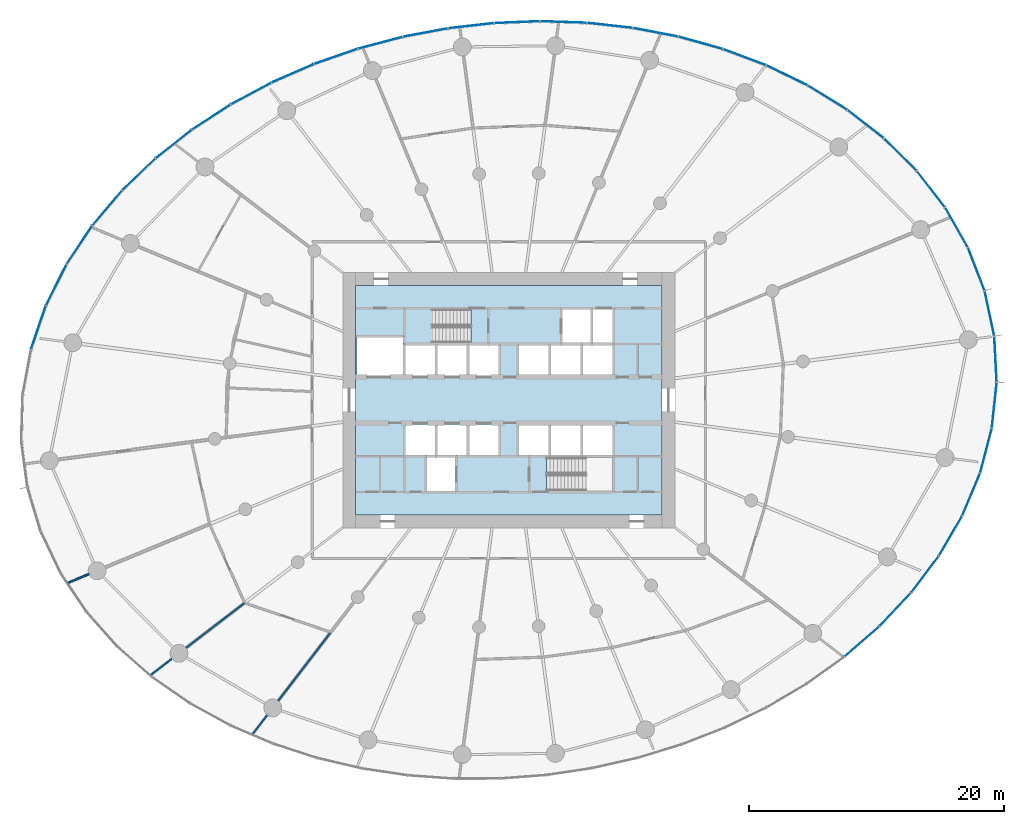
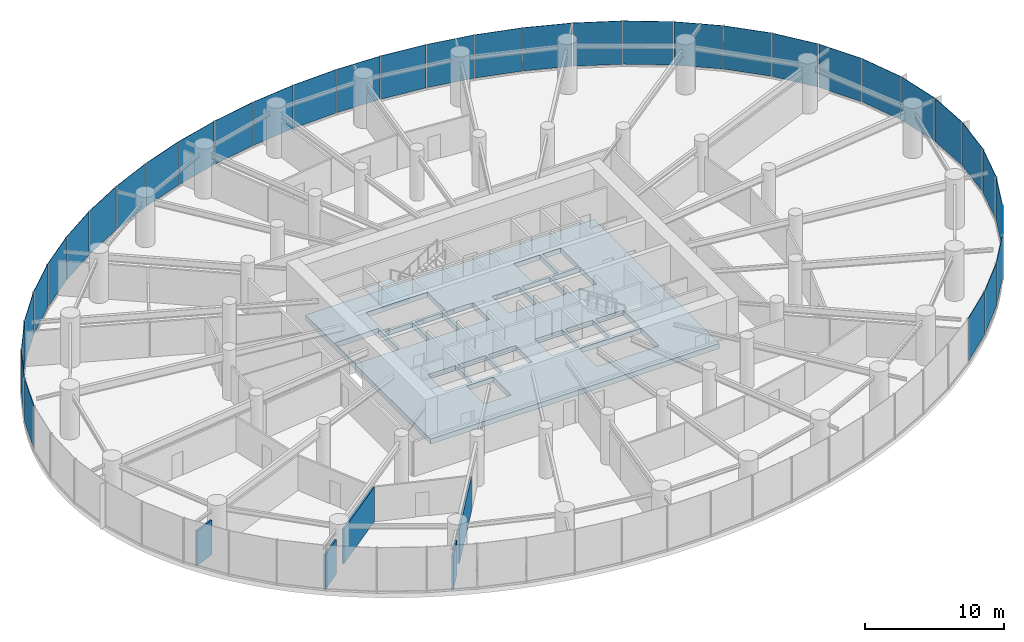
# One storey, part 10 of 18: 35 plates, 5 walls, 2 slabs, 8 elements without a shape of their own.
"""IFC4 building model written with IfcOpenShell, lengths in metres."""

import ifcopenshell
import ifcopenshell.guid

model = None  # the IFC model being written
_history = None  # IfcOwnerHistory: only IFC2X3 demands one
_inside = {}  # id of a spatial element -> (the spatial element, [elements in it])
_under = {}  # id of a project, library or spatial element -> (it, [spatial elements below it])
_declared = {}  # id of a project -> (the project, [libraries it declares])
_typed = {}  # id of a type object -> (the type object, [elements of that type])
_made_of = {}  # id of a material, layer set ... -> (it, [elements and type objects made of it])


def new_model(schema):
    """Start an empty IFC model of exactly this schema.

    Asked for "IFC4X3", IfcOpenShell would pick the latest addendum, in which some entities
    have other attributes; the version numbers below select the first issue.
    IFC2X3 requires an IfcOwnerHistory on every rooted entity: one is made here for all.
    """
    global model, _history
    if schema == "IFC4X3":
        model = ifcopenshell.file(schema_version=(4, 3, 0, 0))
    else:
        model = ifcopenshell.file(schema=schema)
    _inside.clear()
    _under.clear()
    _declared.clear()
    _typed.clear()
    _made_of.clear()
    _history = None
    if model.schema == "IFC2X3":
        org = make("IfcOrganization", Name="unknown")
        user = make(
            "IfcPersonAndOrganization",
            ThePerson=make("IfcPerson", FamilyName="unknown"),
            TheOrganization=org,
        )
        app = make(
            "IfcApplication",
            ApplicationDeveloper=org,
            Version="unknown",
            ApplicationFullName="unknown",
            ApplicationIdentifier="unknown",
        )
        _history = make(
            "IfcOwnerHistory",
            OwningUser=user,
            OwningApplication=app,
            ChangeAction="ADDED",
            CreationDate=0,
        )
    return model


def make(cls, **values):
    """One entity of the class cls with the attributes given. An attribute that is None is left unset."""
    return model.create_entity(
        cls, **{name: value for name, value in values.items() if value is not None}
    )


def rooted(cls, **values):
    """An entity with a GlobalId (a new one), such as an element, a storey or a relation."""
    return make(cls, GlobalId=ifcopenshell.guid.new(), OwnerHistory=_history, **values)


def si_unit(unit_type, name, prefix=None):
    """IfcSIUnit, for example si_unit("LENGTHUNIT", "METRE", prefix="MILLI")."""
    return make("IfcSIUnit", UnitType=unit_type, Prefix=prefix, Name=name)


def assignment(units):
    """IfcUnitAssignment: the units of a project."""
    return None if units is None else make("IfcUnitAssignment", Units=units)


def point(xyz):
    """IfcCartesianPoint."""
    return None if xyz is None else make("IfcCartesianPoint", Coordinates=xyz)


def direction(xyz):
    """IfcDirection."""
    return None if xyz is None else make("IfcDirection", DirectionRatios=xyz)


def frame(location, z_axis=None, x_axis=None):
    """IfcAxis2Placement3D, a coordinate frame: its origin and axes. An axis left out is left unset."""
    return make(
        "IfcAxis2Placement3D",
        Location=point(location),
        Axis=direction(z_axis),
        RefDirection=direction(x_axis),
    )


def frame_2d(location, x_axis=None):
    """IfcAxis2Placement2D, a coordinate frame in the plane: its origin and x axis."""
    return make(
        "IfcAxis2Placement2D", Location=point(location), RefDirection=direction(x_axis)
    )


def origin():
    """The frame at (0, 0, 0) with its axes left unset."""
    return frame((0.0, 0.0, 0.0))


def origin_2d():
    """The frame at (0, 0) in the plane with its x axis left unset."""
    return frame_2d((0.0, 0.0))


def place(relative_to, where):
    """IfcLocalPlacement: puts the frame where relative to a parent placement (None: the world)."""
    return make(
        "IfcLocalPlacement", PlacementRelTo=relative_to, RelativePlacement=where
    )


def context(
    kind, dimensions, precision=None, world=None, true_north=None, identifier=None
):
    """IfcGeometricRepresentationContext, for example the 3D "Model" context."""
    return make(
        "IfcGeometricRepresentationContext",
        ContextIdentifier=identifier,
        ContextType=kind,
        CoordinateSpaceDimension=dimensions,
        Precision=precision,
        WorldCoordinateSystem=world,
        TrueNorth=true_north,
    )


def subcontext(parent, identifier, kind, view, scale=None):
    """IfcGeometricRepresentationSubContext, for example "Body" below "Model"."""
    return make(
        "IfcGeometricRepresentationSubContext",
        ContextIdentifier=identifier,
        ContextType=kind,
        ParentContext=parent,
        TargetScale=scale,
        TargetView=view,
    )


def project(units=None, contexts=None):
    """IfcProject with its units and contexts."""
    return rooted(
        "IfcProject",
        Name="project",
        RepresentationContexts=contexts,
        UnitsInContext=assignment(units),
    )


def spatial(cls, under=None, at=None, **own):
    """A site, building, storey or space (cls), placed at a placement, below another one or the project."""
    s = rooted(cls, ObjectPlacement=at, **own)
    if under is not None:
        _under.setdefault(under.id(), (under, []))[1].append(s)
    return s


def point_list(points):
    """IfcCartesianPointList2D or 3D."""
    cls = (
        "IfcCartesianPointList2D" if len(points[0]) == 2 else "IfcCartesianPointList3D"
    )
    return make(cls, CoordList=points)


def line(*indices):
    """IfcLineIndex: a straight run through numbered points of an indexed curve."""
    return model.create_entity("IfcLineIndex", indices)


def indexed_curve(points, segments=None, self_intersect=None):
    """IfcIndexedPolyCurve: lines and arcs through numbered points (the first is 1)."""
    return make(
        "IfcIndexedPolyCurve",
        Points=point_list(points),
        Segments=segments,
        SelfIntersect=self_intersect,
    )


def profile(cls, at=None, kind="AREA", **sizes):
    """A parametric profile (cls). Its sizes go by their IFC names, for example OverallWidth=200.0."""
    return make(cls, ProfileType=kind, Position=at, **sizes)


def rectangle(**sizes):
    """IfcRectangleProfileDef."""
    return profile("IfcRectangleProfileDef", **sizes)


def outline(outer, holes=None, kind="AREA"):
    """IfcArbitraryClosedProfileDef: a profile drawn as a closed curve; with holes, ...WithVoids."""
    if holes is None:
        return make("IfcArbitraryClosedProfileDef", ProfileType=kind, OuterCurve=outer)
    return make(
        "IfcArbitraryProfileDefWithVoids",
        ProfileType=kind,
        OuterCurve=outer,
        InnerCurves=holes,
    )


def extrude(swept, where, along, depth):
    """IfcExtrudedAreaSolid: the profile swept, set in the frame where, extruded along a direction by depth."""
    return make(
        "IfcExtrudedAreaSolid",
        SweptArea=swept,
        Position=where,
        ExtrudedDirection=direction(along),
        Depth=depth,
    )


def shape(context_of_items, identifier, shape_type, items):
    """IfcShapeRepresentation: the items that make up one representation, for example the "Body"."""
    return make(
        "IfcShapeRepresentation",
        ContextOfItems=context_of_items,
        RepresentationIdentifier=identifier,
        RepresentationType=shape_type,
        Items=items,
    )


def source(mapping_origin, context_of_items, identifier, shape_type, items):
    """IfcRepresentationMap: a shape defined once, which mapped items show again and again."""
    return make(
        "IfcRepresentationMap",
        MappingOrigin=mapping_origin,
        MappedRepresentation=shape(context_of_items, identifier, shape_type, items),
    )


def transform(
    local_origin,
    x_axis=None,
    y_axis=None,
    z_axis=None,
    scale=None,
    scale2=None,
    scale3=None,
    uniform=True,
):
    """IfcCartesianTransformationOperator3D, or its non-uniform kind. x_axis, y_axis, z_axis: its Axis1, 2, 3."""
    if uniform:
        return make(
            "IfcCartesianTransformationOperator3D",
            Axis1=direction(x_axis),
            Axis2=direction(y_axis),
            LocalOrigin=point(local_origin),
            Scale=scale,
            Axis3=direction(z_axis),
        )
    return make(
        "IfcCartesianTransformationOperator3DnonUniform",
        Axis1=direction(x_axis),
        Axis2=direction(y_axis),
        LocalOrigin=point(local_origin),
        Scale=scale,
        Axis3=direction(z_axis),
        Scale2=scale2,
        Scale3=scale3,
    )


def mapped(mapping_source, mapping_target):
    """IfcMappedItem: shows the shape of a source again, moved by a transform."""
    return make(
        "IfcMappedItem", MappingSource=mapping_source, MappingTarget=mapping_target
    )


def material(Name=None, Category=None):
    """IfcMaterial."""
    return make("IfcMaterial", Name=Name, Category=Category)


def layer(
    of_material, thickness, ventilated=None, Name=None, Category=None, Priority=None
):
    """IfcMaterialLayer: one layer of a wall or slab, of a material (None: an air gap)."""
    return make(
        "IfcMaterialLayer",
        Material=of_material,
        LayerThickness=thickness,
        IsVentilated=ventilated,
        Name=Name,
        Category=Category,
        Priority=Priority,
    )


def layer_set(layers, Name=None):
    """IfcMaterialLayerSet."""
    return make("IfcMaterialLayerSet", MaterialLayers=layers, LayerSetName=Name)


def made_of(thing, what):
    """Note that an element or type object is made of a material, layer set ...; save() writes the relation."""
    if what is not None:
        _made_of.setdefault(what.id(), (what, []))[1].append(thing)
    return thing


def type_object(cls, material=None, **own):
    """A type object (cls), such as IfcWallType, which elements share."""
    return made_of(rooted(cls, **own), material)


def element(
    cls,
    number,
    at=None,
    inside=None,
    cuts=None,
    type_object=None,
    material=None,
    context=None,
    identifier="Body",
    shape_type=None,
    held_by="IfcProductDefinitionShape",
    body=None,
    shapes=None,
    **own,
):
    """One element of the class cls, such as IfcWall. Its Tag is "e" and its number.

    at: its placement. inside: the storey or other place that contains it. cuts: it is an
    opening in that element (IfcRelVoidsElement). A single representation is given by context,
    identifier, shape_type and body (its items); several are given by shapes. held_by: the class
    of the entity that holds the representations. save() writes the other relations.
    """
    e = rooted(cls, Tag="e%d" % number, ObjectPlacement=at, **own)
    if body is not None:
        shapes = [shape(context, identifier, shape_type, body)]
    if shapes is not None:
        e.Representation = make(held_by, Representations=shapes)
    if inside is not None:
        _inside.setdefault(inside.id(), (inside, []))[1].append(e)
    if cuts is not None:
        rooted(
            "IfcRelVoidsElement", RelatingBuildingElement=cuts, RelatedOpeningElement=e
        )
    if type_object is not None:
        _typed.setdefault(type_object.id(), (type_object, []))[1].append(e)
    return made_of(e, material)


def aggregate(whole, parts):
    """IfcRelAggregates: a whole, such as a stair, and the parts it consists of."""
    return rooted("IfcRelAggregates", RelatingObject=whole, RelatedObjects=parts)


def save(model, path):
    """Write the relations noted so far, then the file.

    IfcRelAggregates (storeys below a building ...), IfcRelContainedInSpatialStructure (elements
    in a storey), IfcRelDefinesByType, IfcRelAssociatesMaterial and IfcRelDeclares: one each for
    every whole, place, type object, material and project.
    """
    for whole, parts in _under.values():
        aggregate(whole, parts)
    for where, things in _inside.values():
        rooted(
            "IfcRelContainedInSpatialStructure",
            RelatedElements=things,
            RelatingStructure=where,
        )
    for kind, things in _typed.values():
        rooted("IfcRelDefinesByType", RelatedObjects=things, RelatingType=kind)
    for what, things in _made_of.values():
        rooted("IfcRelAssociatesMaterial", RelatedObjects=things, RelatingMaterial=what)
    for by, libraries in _declared.values():
        rooted("IfcRelDeclares", RelatingContext=by, RelatedDefinitions=libraries)
    model.write(path)


model = new_model("IFC4")

# Units and contexts
model_context = context("Model", 3, precision=1e-05, world=origin(), true_north=direction((0.0, 1.0)))
body_context = subcontext(model_context, "Body", "Model", "MODEL_VIEW")
ifc_project = project(units=[si_unit("LENGTHUNIT", "METRE"), si_unit("AREAUNIT", "SQUARE_METRE"), si_unit("VOLUMEUNIT", "CUBIC_METRE"), si_unit("PLANEANGLEUNIT", "RADIAN"), si_unit("MASSUNIT", "GRAM", prefix="KILO")], contexts=[model_context])

# Site, building, storey
site_placement = place(None, origin())
site = spatial("IfcSite", under=ifc_project, at=site_placement, CompositionType="ELEMENT")
building_placement = place(site_placement, origin())
building = spatial("IfcBuilding", under=site, at=building_placement, Name="Spindrift Exchange Tower", CompositionType="ELEMENT")
storey_placement = place(building_placement, frame((0.0, 0.0, 40.199951171875)))
storey = spatial("IfcBuildingStorey", under=building, at=storey_placement, Name="L09", CompositionType="ELEMENT", Elevation=40.199951171875)

# Slab
ifc_material_1 = material(Name="Concrete 50 MPa", Category="concrete")
ifc_layer_1 = layer(ifc_material_1, 0.449951171875)
ifc_layer_set_1 = layer_set([ifc_layer_1], Name="SL-CORE-FLOOR-450")
slab_type_1 = type_object("IfcSlabType", Name="SL-CORE-FLOOR-450", PredefinedType="FLOOR", material=ifc_layer_set_1)
slab_1_placement = place(storey_placement, frame((0.0, 0.0, -0.449951171875)))
element("IfcSlab", 1, at=slab_1_placement, inside=storey, type_object=slab_type_1, Name="L09 Core floor slab", PredefinedType="FLOOR", context=body_context, shape_type="SweptSolid", body=[
    extrude(outline(indexed_curve([(40.0, 39.0), (40.0, 57.0), (64.0, 57.0), (64.0, 39.0)], segments=[line(1, 2, 3, 4, 1)], self_intersect=False), holes=[indexed_curve([(47.800048828125, 43.5), (45.60009765625, 43.5), (45.60009765625, 40.89990234375), (47.800048828125, 40.89990234375)], segments=[line(1, 2, 3, 4, 1)], self_intersect=False), indexed_curve([(46.199951171875, 46.10009765625), (43.89990234375, 46.10009765625), (43.89990234375, 43.699951171875), (46.199951171875, 43.699951171875)], segments=[line(1, 2, 3, 4, 1)], self_intersect=False), indexed_curve([(48.699951171875, 46.10009765625), (46.39990234375, 46.10009765625), (46.39990234375, 43.699951171875), (48.699951171875, 43.699951171875)], segments=[line(1, 2, 3, 4, 1)], self_intersect=False), indexed_curve([(51.199951171875, 46.10009765625), (48.89990234375, 46.10009765625), (48.89990234375, 43.699951171875), (51.199951171875, 43.699951171875)], segments=[line(1, 2, 3, 4, 1)], self_intersect=False), indexed_curve([(46.199951171875, 52.300048828125), (43.89990234375, 52.300048828125), (43.89990234375, 49.89990234375), (46.199951171875, 49.89990234375)], segments=[line(1, 2, 3, 4, 1)], self_intersect=False), indexed_curve([(48.699951171875, 52.300048828125), (46.39990234375, 52.300048828125), (46.39990234375, 49.89990234375), (48.699951171875, 49.89990234375)], segments=[line(1, 2, 3, 4, 1)], self_intersect=False), indexed_curve([(51.199951171875, 52.300048828125), (48.89990234375, 52.300048828125), (48.89990234375, 49.89990234375), (51.199951171875, 49.89990234375)], segments=[line(1, 2, 3, 4, 1)], self_intersect=False), indexed_curve([(43.699951171875, 49.89990234375), (43.699951171875, 52.89990234375), (40.10009765625, 52.89990234375), (40.10009765625, 49.89990234375)], segments=[line(1, 2, 3, 4, 1)], self_intersect=False), indexed_curve([(49.0439453125, 55.093994140625), (43.906005859375, 55.093994140625), (43.906005859375, 52.506103515625), (49.0439453125, 52.506103515625)], segments=[line(1, 2, 3, 4, 1)], self_intersect=False), indexed_curve([(60.093994140625, 40.906005859375), (60.093994140625, 43.493896484375), (54.9560546875, 43.493896484375), (54.9560546875, 40.906005859375)], segments=[line(1, 2, 3, 4, 1)], self_intersect=False), indexed_curve([(55.10009765625, 46.10009765625), (52.800048828125, 46.10009765625), (52.800048828125, 43.699951171875), (55.10009765625, 43.699951171875)], segments=[line(1, 2, 3, 4, 1)], self_intersect=False), indexed_curve([(57.60009765625, 46.10009765625), (55.300048828125, 46.10009765625), (55.300048828125, 43.699951171875), (57.60009765625, 43.699951171875)], segments=[line(1, 2, 3, 4, 1)], self_intersect=False), indexed_curve([(60.10009765625, 46.10009765625), (57.800048828125, 46.10009765625), (57.800048828125, 43.699951171875), (60.10009765625, 43.699951171875)], segments=[line(1, 2, 3, 4, 1)], self_intersect=False), indexed_curve([(55.10009765625, 52.300048828125), (52.800048828125, 52.300048828125), (52.800048828125, 49.89990234375), (55.10009765625, 49.89990234375)], segments=[line(1, 2, 3, 4, 1)], self_intersect=False), indexed_curve([(57.60009765625, 52.300048828125), (55.300048828125, 52.300048828125), (55.300048828125, 49.89990234375), (57.60009765625, 49.89990234375)], segments=[line(1, 2, 3, 4, 1)], self_intersect=False), indexed_curve([(60.10009765625, 52.300048828125), (57.800048828125, 52.300048828125), (57.800048828125, 49.89990234375), (60.10009765625, 49.89990234375)], segments=[line(1, 2, 3, 4, 1)], self_intersect=False), indexed_curve([(58.39990234375, 52.5), (58.39990234375, 55.10009765625), (56.199951171875, 55.10009765625), (56.199951171875, 52.5)], segments=[line(1, 2, 3, 4, 1)], self_intersect=False), indexed_curve([(60.10009765625, 52.5), (60.10009765625, 55.10009765625), (58.60009765625, 55.10009765625), (58.60009765625, 52.5)], segments=[line(1, 2, 3, 4, 1)], self_intersect=False)]), origin(), (0.0, 0.0, 1.0), 0.449951171875),
])

# Stair, slab
stair_type = type_object("IfcStairType", Name="ST-1250-R183", PredefinedType="HALF_TURN_STAIR", material=ifc_material_1)
stair_placement = place(storey_placement, origin())
stair = element("IfcStair", 2, at=stair_placement, inside=storey, type_object=stair_type, Name="L09 Exit stair ST1", PredefinedType="HALF_TURN_STAIR")
ifc_layer_2 = layer(ifc_material_1, 0.199951171875)
ifc_layer_set_2 = layer_set([ifc_layer_2], Name="SL-LANDING")
slab_type_2 = type_object("IfcSlabType", Name="SL-LANDING", PredefinedType="LANDING", material=ifc_layer_set_2)
slab_2_placement = place(storey_placement, frame((0.0, 0.0, 2.0)))
slab_2 = element("IfcSlab", 3, at=slab_2_placement, type_object=slab_type_2, Name="ST1 landing 1", PredefinedType="LANDING", context=body_context, shape_type="SweptSolid", body=[
    extrude(outline(indexed_curve([(46.050048828125, 52.39990234375), (43.800048828125, 52.39990234375), (43.800048828125, 55.199951171875), (46.050048828125, 55.199951171875)], segments=[line(1, 2, 3, 4, 1)], self_intersect=False)), origin(), (0.0, 0.0, 1.0), 0.199951171875),
])
aggregate(stair, [slab_2])

# Curtain wall, plate
ifc_material_2 = material(Name="Fritted laminated glass with bronze frame", Category="glass")
ifc_layer_3 = layer(ifc_material_2, 0.199951171875)
ifc_layer_set_3 = layer_set([ifc_layer_3], Name="ZONE 1 BRONZE FRITTED WALL")
curtain_wall_type = type_object("IfcCurtainWallType", Name="ZONE 1 BRONZE FRITTED WALL", PredefinedType="NOTDEFINED", material=ifc_layer_set_3)
curtain_wall_1_placement = place(storey_placement, origin())
curtain_wall_1 = element("IfcCurtainWall", 4, at=curtain_wall_1_placement, inside=storey, type_object=curtain_wall_type, Name="L09 Zone 1 Bronze Fritted Wall run 1", PredefinedType="NOTDEFINED")
ifc_material_3 = material(Name="Bronze fritted laminated glass, dense frit", Category="glass")
ifc_layer_4 = layer(ifc_material_3, 0.035888671875)
ifc_layer_set_4 = layer_set([ifc_layer_4], Name="ZONE 1 BRONZE FRITTED WALL PANEL DENSE FRIT 180")
plate_type_1 = type_object("IfcPlateType", Name="ZONE 1 BRONZE FRITTED WALL PANEL DENSE FRIT 180", PredefinedType="CURTAIN_PANEL", material=ifc_layer_set_4)
shared_shape_1 = source(origin(), body_context, "Body", "SweptSolid", [
    extrude(rectangle(XDim=3.5458984375, YDim=0.035888671875, at=origin_2d()), origin(), (0.0, 0.0, 1.0), 3.800048828125),
])
plate_1_placement = place(storey_placement, frame((82.65087890625, 67.237548828125, 0.14990234375), z_axis=(0.0, 0.0, 1.0), x_axis=(-0.710093214227, 0.704107681472, 0.0)))
plate_1 = element("IfcPlate", 5, at=plate_1_placement, type_object=plate_type_1, Name="L09 panel CW-1.5", PredefinedType="CURTAIN_PANEL", context=body_context, shape_type="MappedRepresentation", body=[
    mapped(shared_shape_1, transform((0.0, 0.0, 0.0), scale=1.0)),
])

curtain_wall_2_placement = place(storey_placement, origin())
curtain_wall_2 = element("IfcCurtainWall", 6, at=curtain_wall_2_placement, inside=storey, type_object=curtain_wall_type, Name="L09 Zone 1 Bronze Fritted Wall run 2", PredefinedType="NOTDEFINED")
ifc_layer_5 = layer(ifc_material_3, 0.035888671875)
ifc_layer_set_5 = layer_set([ifc_layer_5], Name="ZONE 1 BRONZE FRITTED WALL PANEL DENSE FRIT 300")
plate_type_2 = type_object("IfcPlateType", Name="ZONE 1 BRONZE FRITTED WALL PANEL DENSE FRIT 300", PredefinedType="CURTAIN_PANEL", material=ifc_layer_set_5)
shared_shape_2 = source(origin(), body_context, "Body", "SweptSolid", [
    extrude(rectangle(XDim=3.54638671875, YDim=0.035888671875, at=origin_2d()), origin(), (0.0, 0.0, 1.0), 3.800048828125),
])
plate_2_placement = place(storey_placement, frame((76.959228515625, 71.694091796875, 0.14990234375), z_axis=(0.0, 0.0, 1.0), x_axis=(-0.851278504042, 0.52471412079, 0.0)))
plate_2 = element("IfcPlate", 7, at=plate_2_placement, type_object=plate_type_2, Name="L09 panel CW-1.7", PredefinedType="CURTAIN_PANEL", context=body_context, shape_type="MappedRepresentation", body=[
    mapped(shared_shape_2, transform((0.0, 0.0, 0.0), scale=1.0)),
])

curtain_wall_3_placement = place(storey_placement, origin())
curtain_wall_3 = element("IfcCurtainWall", 8, at=curtain_wall_3_placement, inside=storey, type_object=curtain_wall_type, Name="L09 Zone 1 Bronze Fritted Wall run 4", PredefinedType="NOTDEFINED")
shared_shape_3 = source(origin(), body_context, "Body", "SweptSolid", [
    extrude(rectangle(XDim=3.546875, YDim=0.035888671875, at=origin_2d()), origin(), (0.0, 0.0, 1.0), 3.800048828125),
])
plate_3_placement = place(storey_placement, frame((25.7548828125, 68.063720703125, 0.14990234375), z_axis=(0.0, 0.0, 1.0), x_axis=(-0.785794288226, -0.618487943772, 0.0)))
plate_3 = element("IfcPlate", 9, at=plate_3_placement, type_object=plate_type_2, Name="L09 panel CW-1.22", PredefinedType="CURTAIN_PANEL", context=body_context, shape_type="MappedRepresentation", body=[
    mapped(shared_shape_3, transform((0.0, 0.0, 0.0), scale=1.0)),
])

# Plate
ifc_layer_6 = layer(ifc_material_3, 0.035888671875)
ifc_layer_set_6 = layer_set([ifc_layer_6], Name="ZONE 1 BRONZE FRITTED WALL PANEL DENSE FRIT 420")
plate_type_3 = type_object("IfcPlateType", Name="ZONE 1 BRONZE FRITTED WALL PANEL DENSE FRIT 420", PredefinedType="CURTAIN_PANEL", material=ifc_layer_set_6)
shared_shape_4 = source(origin(), body_context, "Body", "SweptSolid", [
    extrude(rectangle(XDim=3.547119140625, YDim=0.035888671875, at=origin_2d()), origin(), (0.0, 0.0, 1.0), 3.800048828125),
])
plate_4_placement = place(storey_placement, frame((63.47998046875, 76.81201171875, 0.14990234375), z_axis=(0.0, 0.0, 1.0), x_axis=(-0.982259768637, 0.187525323404, 0.0)))
plate_4 = element("IfcPlate", 10, at=plate_4_placement, type_object=plate_type_3, Name="L09 panel CW-1.11", PredefinedType="CURTAIN_PANEL", context=body_context, shape_type="MappedRepresentation", body=[
    mapped(shared_shape_4, transform((0.0, 0.0, 0.0), scale=1.0)),
])

shared_shape_5 = source(origin(), body_context, "Body", "SweptSolid", [
    extrude(rectangle(XDim=3.54736328125, YDim=0.035888671875, at=origin_2d()), origin(), (0.0, 0.0, 1.0), 3.800048828125),
])
plate_5_placement = place(storey_placement, frame((35.07958984375, 73.601806640625, 0.14990234375), z_axis=(0.0, 0.0, 1.0), x_axis=(-0.916503818266, -0.400025938038, 0.0)))
plate_5 = element("IfcPlate", 11, at=plate_5_placement, type_object=plate_type_2, Name="L09 panel CW-1.19", PredefinedType="CURTAIN_PANEL", context=body_context, shape_type="MappedRepresentation", body=[
    mapped(shared_shape_5, transform((0.0, 0.0, 0.0), scale=1.0)),
])

shared_shape_6 = source(origin(), body_context, "Body", "SweptSolid", [
    extrude(rectangle(XDim=3.54736328125, YDim=0.035888671875, at=origin_2d()), origin(), (0.0, 0.0, 1.0), 3.800048828125),
])
plate_6_placement = place(storey_placement, frame((59.895751953125, 77.351318359375, 0.14990234375), z_axis=(0.0, 0.0, 1.0), x_axis=(-0.99395923163, 0.10974992418, 0.0)))
plate_6 = element("IfcPlate", 12, at=plate_6_placement, type_object=plate_type_1, Name="L09 panel CW-1.12", PredefinedType="CURTAIN_PANEL", context=body_context, shape_type="MappedRepresentation", body=[
    mapped(shared_shape_6, transform((0.0, 0.0, 0.0), scale=1.0)),
])

# Curtain wall, plates
curtain_wall_4_placement = place(storey_placement, origin())
curtain_wall_4 = element("IfcCurtainWall", 13, at=curtain_wall_4_placement, inside=storey, type_object=curtain_wall_type, Name="L09 Zone 1 Bronze Fritted Wall run 3", PredefinedType="NOTDEFINED")
plate_7_placement = place(storey_placement, frame((38.455078125, 74.922607421875, 0.14990234375), z_axis=(0.0, 0.0, 1.0), x_axis=(-0.944627497764, -0.328144618221, 0.0)))
plate_7 = element("IfcPlate", 14, at=plate_7_placement, type_object=plate_type_1, Name="L09 panel CW-1.18", PredefinedType="CURTAIN_PANEL", context=body_context, shape_type="MappedRepresentation", body=[
    mapped(shared_shape_6, transform((0.0, 0.0, 0.0), scale=1.0)),
])
shared_shape_7 = source(origin(), body_context, "Body", "SweptSolid", [
    extrude(rectangle(XDim=3.54736328125, YDim=0.035888671875, at=origin_2d()), origin(), (0.0, 0.0, 1.0), 3.800048828125),
])
plate_8_placement = place(storey_placement, frame((56.280517578125, 77.612060546875, 0.14990234375), z_axis=(0.0, 0.0, 1.0), x_axis=(-0.999421198938, 0.034018628908, 0.0)))
plate_8 = element("IfcPlate", 15, at=plate_8_placement, type_object=plate_type_3, Name="L09 panel CW-1.13", PredefinedType="CURTAIN_PANEL", context=body_context, shape_type="MappedRepresentation", body=[
    mapped(shared_shape_7, transform((0.0, 0.0, 0.0), scale=1.0)),
])
plate_9_placement = place(storey_placement, frame((52.655517578125, 77.60107421875, 0.14990234375), z_axis=(0.0, 0.0, 1.0), x_axis=(-0.999198522365, -0.040028900851, 0.0)))
plate_9 = element("IfcPlate", 16, at=plate_9_placement, type_object=plate_type_3, Name="L09 panel CW-1.14", PredefinedType="CURTAIN_PANEL", context=body_context, shape_type="MappedRepresentation", body=[
    mapped(shared_shape_7, transform((0.0, 0.0, 0.0), scale=1.0)),
])
plate_10_placement = place(storey_placement, frame((49.041259765625, 77.32373046875, 0.14990234375), z_axis=(0.0, 0.0, 1.0), x_axis=(-0.99361052261, -0.112863321586, 0.0)))
plate_10 = element("IfcPlate", 17, at=plate_10_placement, type_object=plate_type_3, Name="L09 panel CW-1.15", PredefinedType="CURTAIN_PANEL", context=body_context, shape_type="MappedRepresentation", body=[
    mapped(shared_shape_7, transform((0.0, 0.0, 0.0), scale=1.0)),
])
plate_11_placement = place(storey_placement, frame((45.456787109375, 76.78369140625, 0.14990234375), z_axis=(0.0, 0.0, 1.0), x_axis=(-0.9827521838, -0.184927405313, 0.0)))
plate_11 = element("IfcPlate", 18, at=plate_11_placement, type_object=plate_type_3, Name="L09 panel CW-1.16", PredefinedType="CURTAIN_PANEL", context=body_context, shape_type="MappedRepresentation", body=[
    mapped(shared_shape_7, transform((0.0, 0.0, 0.0), scale=1.0)),
])
plate_12_placement = place(storey_placement, frame((41.92138671875, 75.98291015625, 0.14990234375), z_axis=(0.0, 0.0, 1.0), x_axis=(-0.966531629226, -0.256547480413, 0.0)))
plate_12 = element("IfcPlate", 19, at=plate_12_placement, type_object=plate_type_3, Name="L09 panel CW-1.17", PredefinedType="CURTAIN_PANEL", context=body_context, shape_type="MappedRepresentation", body=[
    mapped(shared_shape_7, transform((0.0, 0.0, 0.0), scale=1.0)),
])
aggregate(curtain_wall_4, [plate_8, plate_9, plate_10, plate_11, plate_12, plate_7])

# Plate
shared_shape_8 = source(origin(), body_context, "Body", "SweptSolid", [
    extrude(rectangle(XDim=3.547119140625, YDim=0.035888671875, at=origin_2d()), origin(), (0.0, 0.0, 1.0), 3.800048828125),
])
plate_13_placement = place(storey_placement, frame((67.0087890625, 75.986328125, 0.14990234375), z_axis=(0.0, 0.0, 1.0), x_axis=(-0.963485722294, 0.267759711187, 0.0)))
plate_13 = element("IfcPlate", 20, at=plate_13_placement, type_object=plate_type_1, Name="L09 panel CW-1.10", PredefinedType="CURTAIN_PANEL", context=body_context, shape_type="MappedRepresentation", body=[
    mapped(shared_shape_8, transform((0.0, 0.0, 0.0), scale=1.0)),
])

plate_14_placement = place(storey_placement, frame((31.81884765625, 72.019775390625, 0.14990234375), z_axis=(0.0, 0.0, 1.0), x_axis=(-0.881397456881, -0.472375404741, 0.0)))
plate_14 = element("IfcPlate", 21, at=plate_14_placement, type_object=plate_type_1, Name="L09 panel CW-1.20", PredefinedType="CURTAIN_PANEL", context=body_context, shape_type="MappedRepresentation", body=[
    mapped(shared_shape_8, transform((0.0, 0.0, 0.0), scale=1.0)),
])

plate_15_placement = place(storey_placement, frame((28.7001953125, 70.17431640625, 0.14990234375), z_axis=(0.0, 0.0, 1.0), x_axis=(-0.838282520971, -0.545236109437, 0.0)))
plate_15 = element("IfcPlate", 22, at=plate_15_placement, type_object=plate_type_1, Name="L09 panel CW-1.21", PredefinedType="CURTAIN_PANEL", context=body_context, shape_type="MappedRepresentation", body=[
    mapped(shared_shape_8, transform((0.0, 0.0, 0.0), scale=1.0)),
])

shared_shape_9 = source(origin(), body_context, "Body", "SweptSolid", [
    extrude(rectangle(XDim=3.546875, YDim=0.035888671875, at=origin_2d()), origin(), (0.0, 0.0, 1.0), 3.800048828125),
])
plate_16_placement = place(storey_placement, frame((70.454345703125, 74.86474609375, 0.14990234375), z_axis=(0.0, 0.0, 1.0), x_axis=(-0.936464207098, 0.350763152033, 0.0)))
plate_16 = element("IfcPlate", 23, at=plate_16_placement, type_object=plate_type_3, Name="L09 panel CW-1.9", PredefinedType="CURTAIN_PANEL", context=body_context, shape_type="MappedRepresentation", body=[
    mapped(shared_shape_9, transform((0.0, 0.0, 0.0), scale=1.0)),
])

shared_shape_10 = source(origin(), body_context, "Body", "SweptSolid", [
    extrude(rectangle(XDim=3.54443359375, YDim=0.035888671875, at=origin_2d()), origin(), (0.0, 0.0, 1.0), 3.800048828125),
])
plate_17_placement = place(storey_placement, frame((89.64013671875, 54.793701171875, 0.14990234375), z_axis=(0.0, 0.0, 1.0), x_axis=(-0.209495689384, 0.977809570484, 0.0)))
plate_17 = element("IfcPlate", 24, at=plate_17_placement, type_object=plate_type_1, Name="L09 panel CW-1.1", PredefinedType="CURTAIN_PANEL", context=body_context, shape_type="MappedRepresentation", body=[
    mapped(shared_shape_10, transform((0.0, 0.0, 0.0), scale=1.0)),
])

# Curtain wall, plate
curtain_wall_5_placement = place(storey_placement, origin())
curtain_wall_5 = element("IfcCurtainWall", 25, at=curtain_wall_5_placement, inside=storey, type_object=curtain_wall_type, Name="L09 Zone 1 Bronze Fritted Wall run 10", PredefinedType="NOTDEFINED")
shared_shape_11 = source(origin(), body_context, "Body", "SweptSolid", [
    extrude(rectangle(XDim=3.54443359375, YDim=0.035888671875, at=origin_2d()), origin(), (0.0, 0.0, 1.0), 3.800048828125),
])
plate_18_placement = place(storey_placement, frame((90.11328125, 51.2119140625, 0.14990234375), z_axis=(0.0, 0.0, 1.0), x_axis=(-0.05156730545, 0.998669521418, 0.0)))
plate_18 = element("IfcPlate", 26, at=plate_18_placement, type_object=plate_type_3, Name="L09 panel CW-1.59", PredefinedType="CURTAIN_PANEL", context=body_context, shape_type="MappedRepresentation", body=[
    mapped(shared_shape_11, transform((0.0, 0.0, 0.0), scale=1.0)),
])

# Plate
shared_shape_12 = source(origin(), body_context, "Body", "SweptSolid", [
    extrude(rectangle(XDim=3.54443359375, YDim=0.035888671875, at=origin_2d()), origin(), (0.0, 0.0, 1.0), 3.800048828125),
])
plate_19_placement = place(storey_placement, frame((88.6083984375, 58.256591796875, 0.14990234375), z_axis=(0.0, 0.0, 1.0), x_axis=(-0.359879566879, 0.932998765992, 0.0)))
plate_19 = element("IfcPlate", 27, at=plate_19_placement, type_object=plate_type_2, Name="L09 panel CW-1.2", PredefinedType="CURTAIN_PANEL", context=body_context, shape_type="MappedRepresentation", body=[
    mapped(shared_shape_12, transform((0.0, 0.0, 0.0), scale=1.0)),
])

shared_shape_13 = source(origin(), body_context, "Body", "SweptSolid", [
    extrude(rectangle(XDim=3.544921875, YDim=0.035888671875, at=origin_2d()), origin(), (0.0, 0.0, 1.0), 3.800048828125),
])
plate_20_placement = place(storey_placement, frame((87.057861328125, 61.521484375, 0.14990234375), z_axis=(0.0, 0.0, 1.0), x_axis=(-0.495610265685, 0.868545027358, 0.0)))
plate_20 = element("IfcPlate", 28, at=plate_20_placement, type_object=plate_type_3, Name="L09 panel CW-1.3", PredefinedType="CURTAIN_PANEL", context=body_context, shape_type="MappedRepresentation", body=[
    mapped(shared_shape_13, transform((0.0, 0.0, 0.0), scale=1.0)),
])

plate_21_placement = place(storey_placement, frame((89.3662109375, 44.044189453125, 0.14990234375), z_axis=(0.0, 0.0, 1.0), x_axis=(0.253133257457, 0.967431420809, 0.0)))
plate_21 = element("IfcPlate", 29, at=plate_21_placement, type_object=plate_type_3, Name="L09 panel CW-1.57", PredefinedType="CURTAIN_PANEL", context=body_context, shape_type="MappedRepresentation", body=[
    mapped(shared_shape_13, transform((0.0, 0.0, 0.0), scale=1.0)),
])

# Curtain wall, plate
curtain_wall_6_placement = place(storey_placement, origin())
curtain_wall_6 = element("IfcCurtainWall", 30, at=curtain_wall_6_placement, inside=storey, type_object=curtain_wall_type, Name="L09 Zone 1 Bronze Fritted Wall run 5", PredefinedType="NOTDEFINED")
shared_shape_14 = source(origin(), body_context, "Body", "SweptSolid", [
    extrude(rectangle(XDim=3.545654296875, YDim=0.035888671875, at=origin_2d()), origin(), (0.0, 0.0, 1.0), 3.800048828125),
])
plate_22_placement = place(storey_placement, frame((16.546630859375, 57.026611328125, 0.14990234375), z_axis=(0.0, 0.0, 1.0), x_axis=(-0.44689430984, -0.894586762608, 0.0)))
plate_22 = element("IfcPlate", 31, at=plate_22_placement, type_object=plate_type_2, Name="L09 panel CW-1.26", PredefinedType="CURTAIN_PANEL", context=body_context, shape_type="MappedRepresentation", body=[
    mapped(shared_shape_14, transform((0.0, 0.0, 0.0), scale=1.0)),
])

# Plate
shared_shape_15 = source(origin(), body_context, "Body", "SweptSolid", [
    extrude(rectangle(XDim=3.5458984375, YDim=0.035888671875, at=origin_2d()), origin(), (0.0, 0.0, 1.0), 3.800048828125),
])
plate_23_placement = place(storey_placement, frame((86.59423828125, 37.3798828125, 0.14990234375), z_axis=(0.0, 0.0, 1.0), x_axis=(0.502909826129, 0.864338884225, 0.0)))
plate_23 = element("IfcPlate", 32, at=plate_23_placement, type_object=plate_type_3, Name="L09 panel CW-1.55", PredefinedType="CURTAIN_PANEL", context=body_context, shape_type="MappedRepresentation", body=[
    mapped(shared_shape_15, transform((0.0, 0.0, 0.0), scale=1.0)),
])

# Curtain wall, plate
curtain_wall_7_placement = place(storey_placement, origin())
curtain_wall_7 = element("IfcCurtainWall", 33, at=curtain_wall_7_placement, inside=storey, type_object=curtain_wall_type, Name="L09 Zone 1 Bronze Fritted Wall run 9", PredefinedType="NOTDEFINED")
shared_shape_16 = source(origin(), body_context, "Body", "SweptSolid", [
    extrude(rectangle(XDim=3.54638671875, YDim=0.035888671875, at=origin_2d()), origin(), (0.0, 0.0, 1.0), 3.800048828125),
])
plate_24_placement = place(storey_placement, frame((84.590576171875, 34.365478515625, 0.14990234375), z_axis=(0.0, 0.0, 1.0), x_axis=(0.60227490434, 0.798288757031, 0.0)))
plate_24 = element("IfcPlate", 34, at=plate_24_placement, type_object=plate_type_1, Name="L09 panel CW-1.54", PredefinedType="CURTAIN_PANEL", context=body_context, shape_type="MappedRepresentation", body=[
    mapped(shared_shape_16, transform((0.0, 0.0, 0.0), scale=1.0)),
])

# Plate
shared_shape_17 = source(origin(), body_context, "Body", "SweptSolid", [
    extrude(rectangle(XDim=3.546875, YDim=0.035888671875, at=origin_2d()), origin(), (0.0, 0.0, 1.0), 3.800048828125),
])
plate_25_placement = place(storey_placement, frame((73.7841796875, 73.43701171875, 0.14990234375), z_axis=(0.0, 0.0, 1.0), x_axis=(-0.899707149454, 0.436494038013, 0.0)))
plate_25 = element("IfcPlate", 35, at=plate_25_placement, type_object=plate_type_1, Name="L09 panel CW-1.8", PredefinedType="CURTAIN_PANEL", context=body_context, shape_type="MappedRepresentation", body=[
    mapped(shared_shape_17, transform((0.0, 0.0, 0.0), scale=1.0)),
])

aggregate(curtain_wall_2, [plate_2, plate_25, plate_16, plate_13, plate_4, plate_6])

plate_26_placement = place(storey_placement, frame((79.641357421875, 29.091064453125, 0.14990234375), z_axis=(0.0, 0.0, 1.0), x_axis=(0.75551854803, 0.655127257548, 0.0)))
plate_26 = element("IfcPlate", 36, at=plate_26_placement, type_object=plate_type_1, Name="L09 panel CW-1.52", PredefinedType="CURTAIN_PANEL", context=body_context, shape_type="MappedRepresentation", body=[
    mapped(shared_shape_17, transform((0.0, 0.0, 0.0), scale=1.0)),
])

shared_shape_18 = source(origin(), body_context, "Body", "SweptSolid", [
    extrude(rectangle(XDim=3.54541015625, YDim=0.035888671875, at=origin_2d()), origin(), (0.0, 0.0, 1.0), 3.800048828125),
])
plate_27_placement = place(storey_placement, frame((85.048828125, 64.5283203125, 0.14990234375), z_axis=(0.0, 0.0, 1.0), x_axis=(-0.612704308626, 0.790312235886, 0.0)))
plate_27 = element("IfcPlate", 37, at=plate_27_placement, type_object=plate_type_2, Name="L09 panel CW-1.4", PredefinedType="CURTAIN_PANEL", context=body_context, shape_type="MappedRepresentation", body=[
    mapped(shared_shape_18, transform((0.0, 0.0, 0.0), scale=1.0)),
])

shared_shape_19 = source(origin(), body_context, "Body", "SweptSolid", [
    extrude(rectangle(XDim=3.54541015625, YDim=0.035888671875, at=origin_2d()), origin(), (0.0, 0.0, 1.0), 3.800048828125),
])
plate_28_placement = place(storey_placement, frame((88.206787109375, 40.618896484375, 0.14990234375), z_axis=(0.0, 0.0, 1.0), x_axis=(0.386516198151, 0.922282618598, 0.0)))
plate_28 = element("IfcPlate", 38, at=plate_28_placement, type_object=plate_type_3, Name="L09 panel CW-1.56", PredefinedType="CURTAIN_PANEL", context=body_context, shape_type="MappedRepresentation", body=[
    mapped(shared_shape_19, transform((0.0, 0.0, 0.0), scale=1.0)),
])

shared_shape_20 = source(origin(), body_context, "Body", "SweptSolid", [
    extrude(rectangle(XDim=3.54638671875, YDim=0.035888671875, at=origin_2d()), origin(), (0.0, 0.0, 1.0), 3.800048828125),
])
plate_29_placement = place(storey_placement, frame((79.93310546875, 69.62841796875, 0.14990234375), z_axis=(0.0, 0.0, 1.0), x_axis=(-0.788858884553, 0.614574373255, 0.0)))
plate_29 = element("IfcPlate", 39, at=plate_29_placement, type_object=plate_type_3, Name="L09 panel CW-1.6", PredefinedType="CURTAIN_PANEL", context=body_context, shape_type="MappedRepresentation", body=[
    mapped(shared_shape_20, transform((0.0, 0.0, 0.0), scale=1.0)),
])

aggregate(curtain_wall_1, [plate_17, plate_19, plate_20, plate_27, plate_1, plate_29])

plate_30_placement = place(storey_placement, frame((20.539306640625, 63.0498046875, 0.14990234375), z_axis=(0.0, 0.0, 1.0), x_axis=(-0.64592680848, -0.763399343782, 0.0)))
plate_30 = element("IfcPlate", 40, at=plate_30_placement, type_object=plate_type_3, Name="L09 panel CW-1.24", PredefinedType="CURTAIN_PANEL", context=body_context, shape_type="MappedRepresentation", body=[
    mapped(shared_shape_20, transform((0.0, 0.0, 0.0), scale=1.0)),
])

plate_31_placement = place(storey_placement, frame((82.2548828125, 31.5986328125, 0.14990234375), z_axis=(0.0, 0.0, 1.0), x_axis=(0.685839946078, 0.727752408697, 0.0)))
plate_31 = element("IfcPlate", 41, at=plate_31_placement, type_object=plate_type_3, Name="L09 panel CW-1.53", PredefinedType="CURTAIN_PANEL", context=body_context, shape_type="MappedRepresentation", body=[
    mapped(shared_shape_20, transform((0.0, 0.0, 0.0), scale=1.0)),
])

aggregate(curtain_wall_7, [plate_26, plate_31, plate_24])

shared_shape_21 = source(origin(), body_context, "Body", "SweptSolid", [
    extrude(rectangle(XDim=3.546630859375, YDim=0.035888671875, at=origin_2d()), origin(), (0.0, 0.0, 1.0), 3.800048828125),
])
plate_32_placement = place(storey_placement, frame((23.020263671875, 65.68798828125, 0.14990234375), z_axis=(0.0, 0.0, 1.0), x_axis=(-0.722284300682, -0.691596261549, 0.0)))
plate_32 = element("IfcPlate", 42, at=plate_32_placement, type_object=plate_type_2, Name="L09 panel CW-1.23", PredefinedType="CURTAIN_PANEL", context=body_context, shape_type="MappedRepresentation", body=[
    mapped(shared_shape_21, transform((0.0, 0.0, 0.0), scale=1.0)),
])

aggregate(curtain_wall_3, [plate_5, plate_14, plate_15, plate_3, plate_32, plate_30])

shared_shape_22 = source(origin(), body_context, "Body", "SweptSolid", [
    extrude(rectangle(XDim=3.544677734375, YDim=0.035888671875, at=origin_2d()), origin(), (0.0, 0.0, 1.0), 3.800048828125),
])
plate_33_placement = place(storey_placement, frame((90.015869140625, 47.599853515625, 0.14990234375), z_axis=(0.0, 0.0, 1.0), x_axis=(0.105309526618, 0.994439492178, 0.0)))
plate_33 = element("IfcPlate", 43, at=plate_33_placement, type_object=plate_type_1, Name="L09 panel CW-1.58", PredefinedType="CURTAIN_PANEL", context=body_context, shape_type="MappedRepresentation", body=[
    mapped(shared_shape_22, transform((0.0, 0.0, 0.0), scale=1.0)),
])

aggregate(curtain_wall_5, [plate_23, plate_28, plate_21, plate_33, plate_18])

shared_shape_23 = source(origin(), body_context, "Body", "SweptSolid", [
    extrude(rectangle(XDim=3.546142578125, YDim=0.035888671875, at=origin_2d()), origin(), (0.0, 0.0, 1.0), 3.800048828125),
])
plate_34_placement = place(storey_placement, frame((18.3623046875, 60.156982421875, 0.14990234375), z_axis=(0.0, 0.0, 1.0), x_axis=(-0.554649839738, -0.832083863129, 0.0)))
plate_34 = element("IfcPlate", 44, at=plate_34_placement, type_object=plate_type_3, Name="L09 panel CW-1.25", PredefinedType="CURTAIN_PANEL", context=body_context, shape_type="MappedRepresentation", body=[
    mapped(shared_shape_23, transform((0.0, 0.0, 0.0), scale=1.0)),
])

shared_shape_24 = source(origin(), body_context, "Body", "SweptSolid", [
    extrude(rectangle(XDim=3.545166015625, YDim=0.035888671875, at=origin_2d()), origin(), (0.0, 0.0, 1.0), 3.800048828125),
])
plate_35_placement = place(storey_placement, frame((15.153076171875, 53.688720703125, 0.14990234375), z_axis=(0.0, 0.0, 1.0), x_axis=(-0.32185756828, -0.946788099704, 0.0)))
plate_35 = element("IfcPlate", 45, at=plate_35_placement, type_object=plate_type_1, Name="L09 panel CW-1.27", PredefinedType="CURTAIN_PANEL", context=body_context, shape_type="MappedRepresentation", body=[
    mapped(shared_shape_24, transform((0.0, 0.0, 0.0), scale=1.0)),
])

aggregate(curtain_wall_6, [plate_34, plate_22, plate_35])

# Walls
ifc_material_4 = material(Name="Fire-rated plasterboard partition", Category="gypsum")
ifc_layer_7 = layer(ifc_material_4, 0.139892578125)
ifc_layer_set_7 = layer_set([ifc_layer_7], Name="W-PART-140")
wall_type = type_object("IfcWallType", Name="W-PART-140", PredefinedType="PARTITIONING", material=ifc_layer_set_7)
wall_1_placement = place(storey_placement, frame((38.010009765625, 29.767578125, 0.0), z_axis=(0.0, 0.0, 1.0), x_axis=(-0.608789949358, -0.793331455043, 0.0)))
element("IfcWall", 46, at=wall_1_placement, inside=storey, type_object=wall_type, Name="L09 Partition wall 73", PredefinedType="PARTITIONING", context=body_context, shape_type="SweptSolid", body=[
    extrude(rectangle(XDim=6.69140625, YDim=0.139892578125, at=frame_2d((3.345703125, 0.0))), origin(), (0.0, 0.0, 1.0), 3.050048828125),
])
wall_2_placement = place(storey_placement, frame((31.280029296875, 32.10107421875, 0.0), z_axis=(0.0, 0.0, 1.0), x_axis=(-0.793356588495, -0.608757195844, 0.0)))
element("IfcWall", 47, at=wall_2_placement, inside=storey, type_object=wall_type, Name="L09 Partition wall 80", PredefinedType="PARTITIONING", context=body_context, shape_type="SweptSolid", body=[
    extrude(rectangle(XDim=5.743896484375, YDim=0.139892578125, at=frame_2d((2.8720703125, 0.0))), origin(), (0.0, 0.0, 1.0), 3.050048828125),
])
wall_3_placement = place(storey_placement, frame((25.605712890625, 27.746826171875, 0.0), z_axis=(0.0, 0.0, 1.0), x_axis=(-0.793363183119, -0.608748601372, 0.0)))
element("IfcWall", 48, at=wall_3_placement, inside=storey, type_object=wall_type, Name="L09 Partition wall 116", PredefinedType="PARTITIONING", context=body_context, shape_type="SweptSolid", body=[
    extrude(rectangle(XDim=2.03662109375, YDim=0.139892578125, at=frame_2d((1.018310546875, 0.0))), origin(), (0.0, 0.0, 1.0), 3.050048828125),
])
wall_4_placement = place(storey_placement, frame((33.0791015625, 23.341552734375, 0.0), z_axis=(0.0, 0.0, 1.0), x_axis=(-0.608792119063, -0.793329790041, 0.0)))
element("IfcWall", 49, at=wall_4_placement, inside=storey, type_object=wall_type, Name="L09 Partition wall 123", PredefinedType="PARTITIONING", context=body_context, shape_type="SweptSolid", body=[
    extrude(rectangle(XDim=1.8759765625, YDim=0.139892578125, at=frame_2d((0.93798828125, 0.0))), origin(), (0.0, 0.0, 1.0), 3.050048828125),
])
wall_5_placement = place(storey_placement, frame((19.099853515625, 34.372314453125, 0.0), z_axis=(0.0, 0.0, 1.0), x_axis=(-0.92390604877, -0.382619410179, 0.0)))
element("IfcWall", 50, at=wall_5_placement, inside=storey, type_object=wall_type, Name="L09 Partition wall 125", PredefinedType="PARTITIONING", context=body_context, shape_type="SweptSolid", body=[
    extrude(rectangle(XDim=1.7724609375, YDim=0.139892578125, at=frame_2d((0.88623046875, 0.0))), origin(), (0.0, 0.0, 1.0), 3.050048828125),
])

save(model, "model.ifc")
